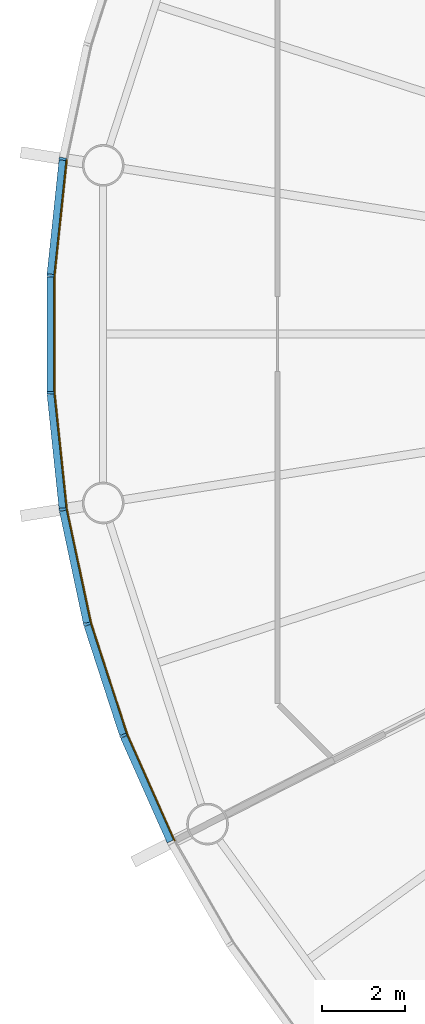
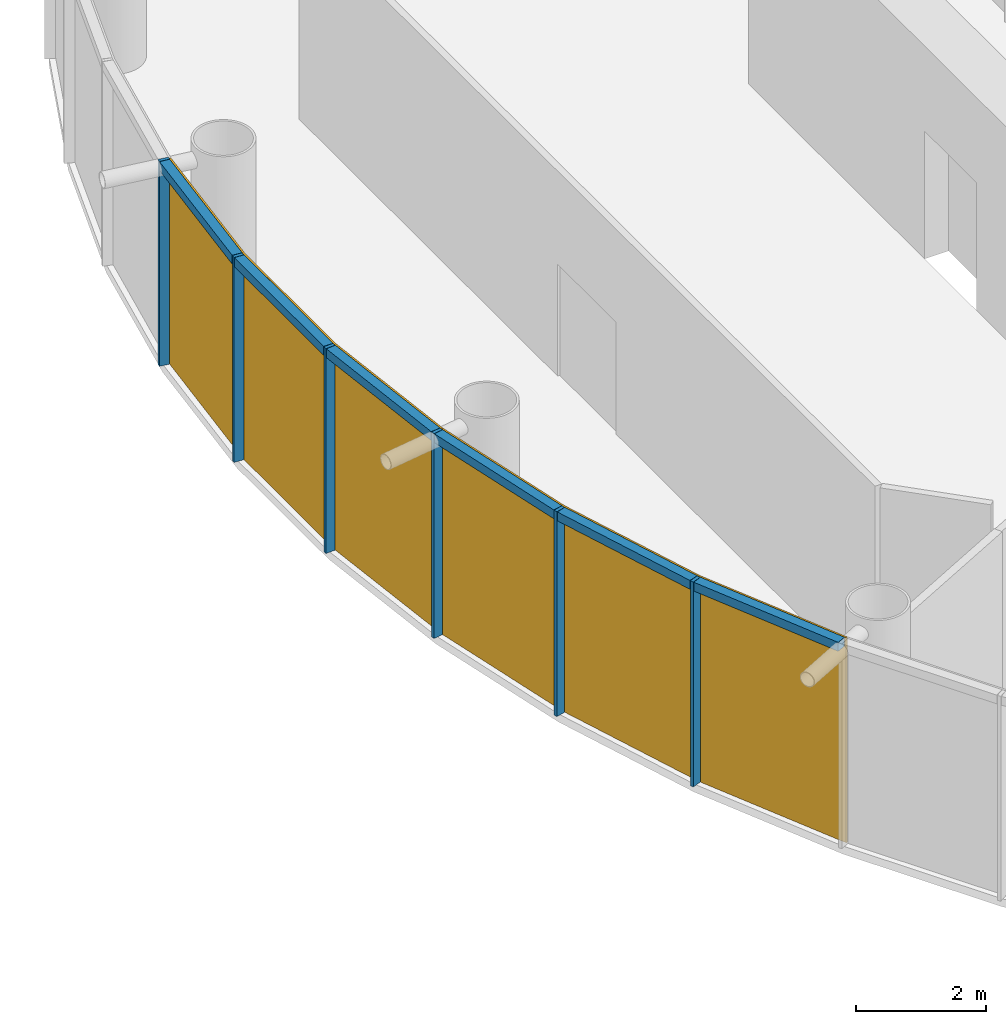
# One storey, part 7 of 12: 12 members, 2 curtain walls.
"""IFC4 building model written with IfcOpenShell, lengths in metres."""

from ifc_helpers import new_model, si_unit, direction, frame, origin, origin_2d, place, context, subcontext, project, spatial, polyline, rectangle, outline, extrude, material, layer, layer_set, material_profile, profile_set, type_object, element, aggregate, save


model = new_model("IFC4")

# Units and contexts
model_context = context("Model", 3, precision=1e-05, world=origin(), true_north=direction((0.0, 1.0)))
body_context = subcontext(model_context, "Body", "Model", "MODEL_VIEW")
ifc_project = project(units=[si_unit("LENGTHUNIT", "METRE"), si_unit("AREAUNIT", "SQUARE_METRE"), si_unit("VOLUMEUNIT", "CUBIC_METRE"), si_unit("PLANEANGLEUNIT", "RADIAN"), si_unit("MASSUNIT", "GRAM", prefix="KILO")], contexts=[model_context])

# Member
ifc_material_1 = material(Name="Anodised aluminium", Category="aluminium")
ifc_material_profile_1 = material_profile(ifc_material_1, rectangle(XDim=0.06005859375, YDim=0.169921875, at=origin_2d()), Name="Mullion 60 x 170 mm anodised aluminium")
ifc_profile_set_1 = profile_set([ifc_material_profile_1], Name="Anodised aluminium")
member_type_1 = type_object("IfcMemberType", Name="Mullion 60 x 170 mm anodised aluminium", PredefinedType="MULLION", material=ifc_profile_set_1)
site_placement = place(None, origin())
building_placement = place(site_placement, origin())
storey_placement = place(building_placement, frame((0.0, 0.0, 214.0)))
member_1_placement = place(storey_placement, frame((63.446044921875, 84.205810546875, 0.0), z_axis=(0.0, 0.0, 1.0), x_axis=(-0.15643446504, -0.987688340595, 0.0)))
member_1 = element("IfcMember", 1, at=member_1_placement, type_object=member_type_1, Name="MULLION L49-27", PredefinedType="MULLION", context=body_context, shape_type="SweptSolid", body=[
    extrude(rectangle(XDim=0.06005859375, YDim=0.169921875, at=origin_2d()), origin(), (0.0, 0.0, 1.0), 3.85009765625),
])

member_2_placement = place(storey_placement, frame((63.15185546875, 81.406982421875, 0.0), z_axis=(0.0, 0.0, 1.0), x_axis=(-0.052335956243, -0.998629534755, 0.0)))
member_2 = element("IfcMember", 2, at=member_2_placement, type_object=member_type_1, Name="MULLION L49-28", PredefinedType="MULLION", context=body_context, shape_type="SweptSolid", body=[
    extrude(rectangle(XDim=0.06005859375, YDim=0.169921875, at=origin_2d()), origin(), (0.0, 0.0, 1.0), 3.85009765625),
])

member_3_placement = place(storey_placement, frame((63.15185546875, 78.593017578125, 0.0), z_axis=(0.0, 0.0, 1.0), x_axis=(0.052335956243, -0.998629534755, 0.0)))
member_3 = element("IfcMember", 3, at=member_3_placement, type_object=member_type_1, Name="MULLION L49-29", PredefinedType="MULLION", context=body_context, shape_type="SweptSolid", body=[
    extrude(rectangle(XDim=0.06005859375, YDim=0.169921875, at=origin_2d()), origin(), (0.0, 0.0, 1.0), 3.85009765625),
])

member_4_placement = place(storey_placement, frame((63.446044921875, 75.794189453125, 0.0), z_axis=(0.0, 0.0, 1.0), x_axis=(0.15643446504, -0.987688340595, 0.0)))
member_4 = element("IfcMember", 4, at=member_4_placement, type_object=member_type_1, Name="MULLION L49-30", PredefinedType="MULLION", context=body_context, shape_type="SweptSolid", body=[
    extrude(rectangle(XDim=0.06005859375, YDim=0.169921875, at=origin_2d()), origin(), (0.0, 0.0, 1.0), 3.85009765625),
])

member_5_placement = place(storey_placement, frame((64.031005859375, 73.041748046875, 0.0), z_axis=(0.0, 0.0, 1.0), x_axis=(0.258819045103, -0.965925826289, 0.0)))
member_5 = element("IfcMember", 5, at=member_5_placement, type_object=member_type_1, Name="MULLION L49-31", PredefinedType="MULLION", context=body_context, shape_type="SweptSolid", body=[
    extrude(rectangle(XDim=0.06005859375, YDim=0.169921875, at=origin_2d()), origin(), (0.0, 0.0, 1.0), 3.85009765625),
])

member_6_placement = place(storey_placement, frame((64.900634765625, 70.365234375, 0.0), z_axis=(0.0, 0.0, 1.0), x_axis=(0.358367949545, -0.933580426497, 0.0)))
member_6 = element("IfcMember", 6, at=member_6_placement, type_object=member_type_1, Name="MULLION L49-32", PredefinedType="MULLION", context=body_context, shape_type="SweptSolid", body=[
    extrude(rectangle(XDim=0.06005859375, YDim=0.169921875, at=origin_2d()), origin(), (0.0, 0.0, 1.0), 3.85009765625),
])

ifc_material_2 = material(Name="Anodised aluminium", Category="aluminium")
ifc_material_profile_2 = material_profile(ifc_material_2, rectangle(XDim=0.169921875, YDim=0.1650390625, at=origin_2d()), Name="Transom 165 x 170 mm anodised aluminium")
ifc_profile_set_2 = profile_set([ifc_material_profile_2], Name="Anodised aluminium")
member_type_2 = type_object("IfcMemberType", Name="Transom 165 x 170 mm anodised aluminium", PredefinedType="USERDEFINED", material=ifc_profile_set_2)
member_7_placement = place(storey_placement, frame((63.4423828125, 84.17138671875, 3.767578125), z_axis=(-0.104592190102, -0.994515195344, 0.0), x_axis=(0.994515195344, -0.104592190102, 0.0)))
member_7 = element("IfcMember", 7, at=member_7_placement, type_object=member_type_2, Name="TRANSOM L49-27", ObjectType="TRANSOM", PredefinedType="USERDEFINED", context=body_context, shape_type="SweptSolid", body=[
    extrude(rectangle(XDim=0.169921875, YDim=0.1650390625, at=origin_2d()), origin(), (0.0, 0.0, 1.0), 2.7451171875),
])

member_8_placement = place(storey_placement, frame((63.151611328125, 81.37255859375, 3.767578125), z_axis=(0.0, -1.0, 0.0), x_axis=(1.0, 0.0, 0.0)))
member_8 = element("IfcMember", 8, at=member_8_placement, type_object=member_type_2, Name="TRANSOM L49-28", ObjectType="TRANSOM", PredefinedType="USERDEFINED", context=body_context, shape_type="SweptSolid", body=[
    extrude(rectangle(XDim=0.169921875, YDim=0.1650390625, at=origin_2d()), origin(), (0.0, 0.0, 1.0), 2.7451171875),
])

member_9_placement = place(storey_placement, frame((63.1552734375, 78.55859375, 3.767578125), z_axis=(0.104592190102, -0.994515195344, 0.0), x_axis=(0.994515195344, 0.104592190102, 0.0)))
member_9 = element("IfcMember", 9, at=member_9_placement, type_object=member_type_2, Name="TRANSOM L49-29", ObjectType="TRANSOM", PredefinedType="USERDEFINED", context=body_context, shape_type="SweptSolid", body=[
    extrude(rectangle(XDim=0.169921875, YDim=0.1650390625, at=origin_2d()), origin(), (0.0, 0.0, 1.0), 2.7451171875),
])

member_10_placement = place(storey_placement, frame((63.453125, 75.760498046875, 3.767578125), z_axis=(0.207937468562, -0.97814212115, 0.0), x_axis=(0.97814212115, 0.207937468562, 0.0)))
member_10 = element("IfcMember", 10, at=member_10_placement, type_object=member_type_2, Name="TRANSOM L49-30", ObjectType="TRANSOM", PredefinedType="USERDEFINED", context=body_context, shape_type="SweptSolid", body=[
    extrude(rectangle(XDim=0.169921875, YDim=0.1650390625, at=origin_2d()), origin(), (0.0, 0.0, 1.0), 2.7451171875),
])

member_11_placement = place(storey_placement, frame((64.04150390625, 73.0087890625, 3.767578125), z_axis=(0.309041831781, -0.951048445774, 0.0), x_axis=(0.951048445774, 0.309041831781, 0.0)))
member_11 = element("IfcMember", 11, at=member_11_placement, type_object=member_type_2, Name="TRANSOM L49-31", ObjectType="TRANSOM", PredefinedType="USERDEFINED", context=body_context, shape_type="SweptSolid", body=[
    extrude(rectangle(XDim=0.169921875, YDim=0.1650390625, at=origin_2d()), origin(), (0.0, 0.0, 1.0), 2.7451171875),
])

member_12_placement = place(storey_placement, frame((64.91455078125, 70.333740234375, 3.767578125), z_axis=(0.406781987391, -0.913525267704, 0.0), x_axis=(0.913525267704, 0.406781987391, 0.0)))
member_12 = element("IfcMember", 12, at=member_12_placement, type_object=member_type_2, Name="TRANSOM L49-32", ObjectType="TRANSOM", PredefinedType="USERDEFINED", context=body_context, shape_type="SweptSolid", body=[
    extrude(rectangle(XDim=0.169921875, YDim=0.1650390625, at=origin_2d()), origin(), (0.0, 0.0, 1.0), 2.7451171875),
])

# Site, building, storey
site = spatial("IfcSite", under=ifc_project, at=site_placement, CompositionType="ELEMENT")
building = spatial("IfcBuilding", under=site, at=building_placement, Name="Entoto Ring Tower", CompositionType="ELEMENT")
storey = spatial("IfcBuildingStorey", under=building, at=storey_placement, Name="L49", CompositionType="ELEMENT", Elevation=214.0)

# Curtain wall
ifc_material_3 = material(Name="Clear low-iron glass", Category="glass")
ifc_layer = layer(ifc_material_3, 0.031982421875)
ifc_layer_set = layer_set([ifc_layer], Name="Clear low-iron glass")
curtain_wall_type = type_object("IfcCurtainWallType", Name="Curtain wall system CW4 glazing 32 mm", PredefinedType="NOTDEFINED", material=ifc_layer_set)
curtain_wall_1_placement = place(storey_placement, origin())
curtain_wall_1 = element("IfcCurtainWall", 13, at=curtain_wall_1_placement, inside=storey, type_object=curtain_wall_type, Name="CW4 L49-10", PredefinedType="NOTDEFINED", context=body_context, shape_type="SweptSolid", body=[
    extrude(outline(polyline([(63.530029296875, 84.1923828125), (63.23681640625, 81.402587890625), (63.23681640625, 78.597412109375), (63.530029296875, 75.8076171875), (63.5615234375, 75.8125), (63.268798828125, 78.59912109375), (63.268798828125, 81.40087890625), (63.5615234375, 84.1875), (63.530029296875, 84.1923828125)])), origin(), (0.0, 0.0, 1.0), 3.85009765625),
])

aggregate(curtain_wall_1, [member_1, member_2, member_3, member_7, member_8, member_9])

curtain_wall_2_placement = place(storey_placement, origin())
curtain_wall_2 = element("IfcCurtainWall", 14, at=curtain_wall_2_placement, inside=storey, type_object=curtain_wall_type, Name="CW4 L49-11", PredefinedType="NOTDEFINED", context=body_context, shape_type="SweptSolid", body=[
    extrude(outline(polyline([(63.530029296875, 75.8076171875), (64.11328125, 73.063720703125), (64.97998046875, 70.395751953125), (66.12109375, 67.8330078125), (66.149658203125, 67.84765625), (65.010009765625, 70.4072265625), (64.14404296875, 73.072021484375), (63.5615234375, 75.8125), (63.530029296875, 75.8076171875)])), origin(), (0.0, 0.0, 1.0), 3.85009765625),
])

aggregate(curtain_wall_2, [member_4, member_5, member_6, member_10, member_11, member_12])

save(model, "model.ifc")
